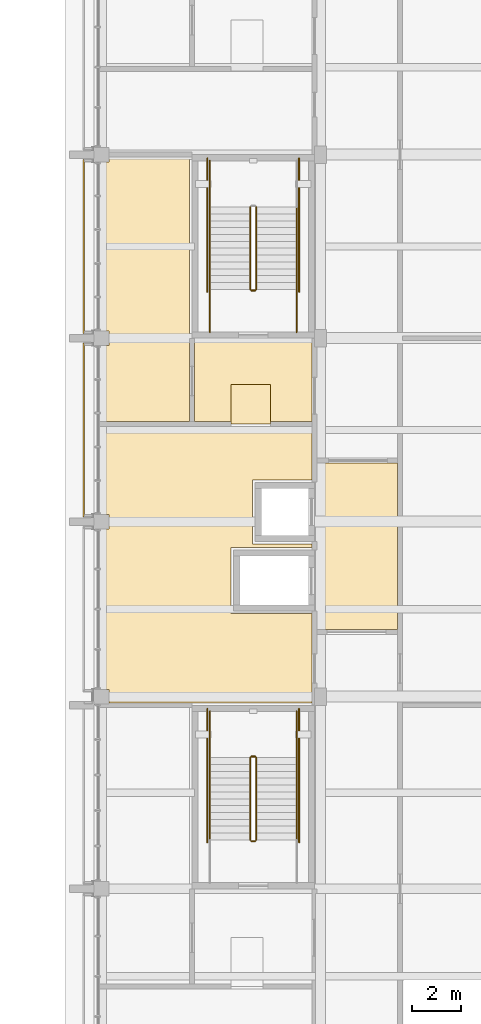
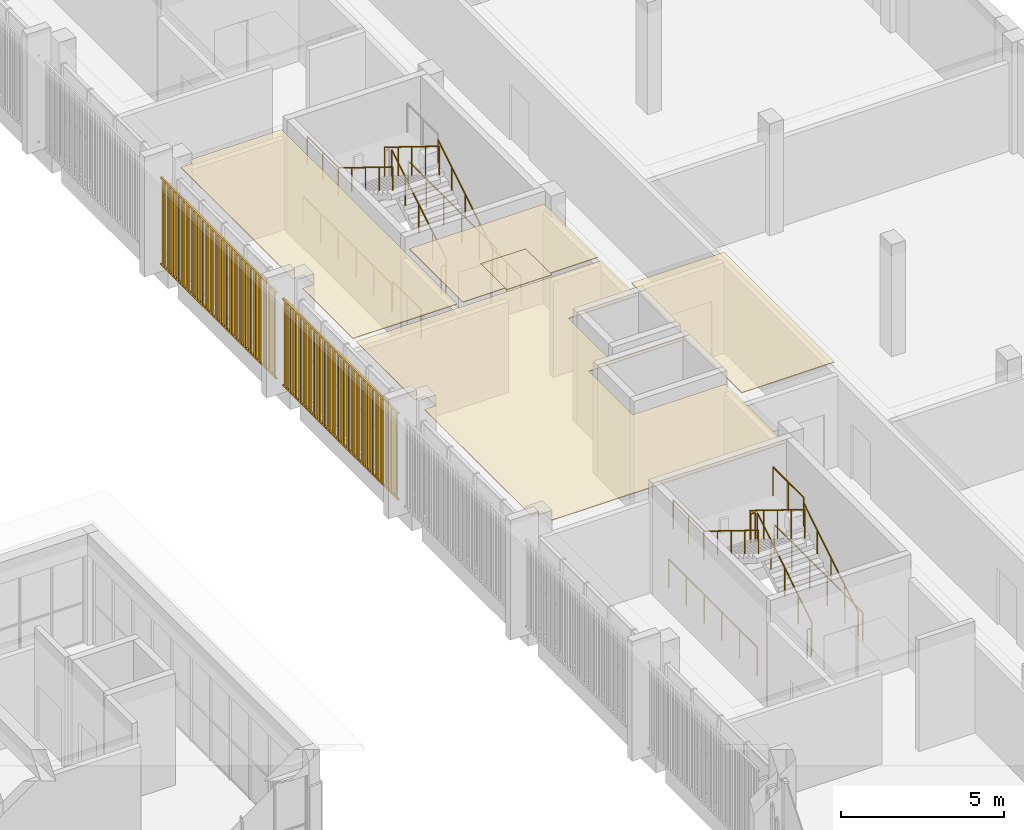
# One storey, part 82 of 92: 20 railings, 5 coverings, 2 shading devices.
"""IFC4 building model written with IfcOpenShell, lengths in metres."""

from ifc_helpers import new_model, si_unit, direction, frame, origin, origin_2d, place, context, subcontext, project, spatial, polyline, rectangle, circle, outline, extrude, material, layer, layer_set, type_object, element, save


model = new_model("IFC4")

# Units and contexts
model_context = context("Model", 3, precision=1e-05, world=origin(), true_north=direction((0.0, 1.0)))
body_context = subcontext(model_context, "Body", "Model", "MODEL_VIEW")
ifc_project = project(units=[si_unit("LENGTHUNIT", "METRE"), si_unit("AREAUNIT", "SQUARE_METRE"), si_unit("VOLUMEUNIT", "CUBIC_METRE"), si_unit("PLANEANGLEUNIT", "RADIAN"), si_unit("MASSUNIT", "GRAM", prefix="KILO")], contexts=[model_context])

# Site, building, storey
site_placement = place(None, origin())
site = spatial("IfcSite", under=ifc_project, at=site_placement, CompositionType="ELEMENT")
building_placement = place(site_placement, origin())
building = spatial("IfcBuilding", under=site, at=building_placement, Name="Sun Court Science Centre", CompositionType="ELEMENT")
storey_placement = place(building_placement, frame((0.0, 0.0, 11.25)))
storey = spatial("IfcBuildingStorey", under=building, at=storey_placement, Name="L02", CompositionType="ELEMENT", Elevation=11.25)

# Coverings
ifc_material_1 = material(Name="Gypsum board")
ifc_layer_1 = layer(ifc_material_1, 0.030029296875)
ifc_layer_set_1 = layer_set([ifc_layer_1], Name="Gypsum board")
covering_type = type_object("IfcCoveringType", Name="Ceiling suspended 600 module", PredefinedType="CEILING", material=ifc_layer_set_1)
covering_1_placement = place(storey_placement, frame((0.0, 0.0, 3.77001953125)))
element("IfcCovering", 1, at=covering_1_placement, inside=storey, type_object=covering_type, Name="L02-040 ceiling", PredefinedType="CEILING", context=body_context, shape_type="SweptSolid", body=[
    extrude(outline(polyline([(87.10009765625, 53.39990234375), (90.39990234375, 53.39990234375), (90.39990234375, 46.60009765625), (87.10009765625, 46.60009765625), (87.10009765625, 50.08740234375), (87.1025390625, 50.08740234375), (87.1025390625, 52.71240234375), (87.10009765625, 52.71240234375), (87.10009765625, 53.39990234375)])), origin(), (0.0, 0.0, 1.0), 0.030029296875),
])
covering_2_placement = place(storey_placement, frame((0.0, 0.0, 3.77001953125)))
element("IfcCovering", 2, at=covering_2_placement, inside=storey, type_object=covering_type, Name="L02-042 ceiling", PredefinedType="CEILING", context=body_context, shape_type="SweptSolid", body=[
    extrude(outline(polyline([(85.199951171875, 56.60009765625), (83.60009765625, 56.60009765625), (83.60009765625, 55.10009765625), (82.10009765625, 55.10009765625), (82.10009765625, 58.39990234375), (86.89990234375, 58.39990234375), (86.89990234375, 55.10009765625), (85.199951171875, 55.10009765625), (85.199951171875, 56.60009765625)])), origin(), (0.0, 0.0, 1.0), 0.030029296875),
])
covering_3_placement = place(storey_placement, frame((0.0, 0.0, 3.77001953125)))
element("IfcCovering", 3, at=covering_3_placement, inside=storey, type_object=covering_type, Name="L02-047 ceiling", PredefinedType="CEILING", context=body_context, shape_type="SweptSolid", body=[
    extrude(outline(polyline([(78.199951171875, 54.89990234375), (86.89990234375, 54.89990234375), (86.89990234375, 52.71240234375), (84.4775390625, 52.71240234375), (84.4775390625, 50.08740234375), (86.89990234375, 50.08740234375), (86.89990234375, 49.949951171875), (83.60009765625, 49.949951171875), (83.60009765625, 47.25), (86.89990234375, 47.25), (86.89990234375, 43.60009765625), (78.60009765625, 43.60009765625), (78.60009765625, 44.14990234375), (78.199951171875, 44.14990234375), (78.199951171875, 50.699951171875), (78.60009765625, 50.699951171875), (78.60009765625, 51.300048828125), (78.199951171875, 51.300048828125), (78.199951171875, 54.89990234375)])), origin(), (0.0, 0.0, 1.0), 0.030029296875),
])
covering_4_placement = place(storey_placement, frame((0.0, 0.0, 3.77001953125)))
element("IfcCovering", 4, at=covering_4_placement, inside=storey, type_object=covering_type, Name="L02-048 ceiling", PredefinedType="CEILING", context=body_context, shape_type="SweptSolid", body=[
    extrude(outline(polyline([(78.60009765625, 65.89990234375), (81.89990234375, 65.89990234375), (81.89990234375, 55.10009765625), (78.199951171875, 55.10009765625), (78.199951171875, 58.199951171875), (78.60009765625, 58.199951171875), (78.60009765625, 58.800048828125), (78.199951171875, 58.800048828125), (78.199951171875, 65.699951171875), (78.60009765625, 65.699951171875), (78.60009765625, 65.89990234375)])), origin(), (0.0, 0.0, 1.0), 0.030029296875),
])
covering_5_placement = place(storey_placement, frame((0.0, 0.0, 3.77001953125)))
element("IfcCovering", 5, at=covering_5_placement, inside=storey, type_object=covering_type, Name="L02-058 ceiling", PredefinedType="CEILING", context=body_context, shape_type="SweptSolid", body=[
    extrude(outline(polyline([(85.199951171875, 56.60009765625), (85.199951171875, 55.0), (83.60009765625, 55.0), (83.60009765625, 56.60009765625), (85.199951171875, 56.60009765625)])), origin(), (0.0, 0.0, 1.0), 0.030029296875),
])

# Railings
ifc_material_2 = material(Name="Steel S275", Category="steel")
railing_type_1 = type_object("IfcRailingType", Name="Guard 1100 steel balustrade", PredefinedType="GUARDRAIL", material=ifc_material_2)
railing_1_placement = place(storey_placement, frame((84.625, 37.998046875, 0.173095703125)))
element("IfcRailing", 6, at=railing_1_placement, inside=storey, type_object=railing_type_1, Name="L02 SL2 stair guard 1", PredefinedType="GUARDRAIL", context=body_context, shape_type="SweptSolid", body=[
    extrude(circle(Radius=0.02392578125, at=origin_2d()), frame((0.0, 0.0, 1.076171875), z_axis=(0.0, 0.850606129759, 0.525803396734), x_axis=(-1.0, 0.0, 0.0)), (0.0, 0.0, 1.0), 3.949951171875),
    extrude(circle(Radius=0.02099609375, at=origin_2d()), origin(), (0.0, 0.0, 1.0), 1.052001953125),
    extrude(circle(Radius=0.02099609375, at=origin_2d()), frame((0.0, 0.83984375, 0.519287109375)), (0.0, 0.0, 1.0), 1.052001953125),
    extrude(circle(Radius=0.02099609375, at=origin_2d()), frame((0.0, 1.679931640625, 1.03857421875)), (0.0, 0.0, 1.0), 1.052001953125),
    extrude(circle(Radius=0.02099609375, at=origin_2d()), frame((0.0, 2.52001953125, 1.5576171875)), (0.0, 0.0, 1.0), 1.052001953125),
    extrude(circle(Radius=0.02099609375, at=origin_2d()), frame((0.0, 3.35986328125, 2.076904296875)), (0.0, 0.0, 1.0), 1.052001953125),
])
railing_2_placement = place(storey_placement, frame((84.574951171875, 41.407958984375, 2.25)))
element("IfcRailing", 7, at=railing_2_placement, inside=storey, type_object=railing_type_1, Name="L02 SL2 stair guard 2", PredefinedType="GUARDRAIL", context=body_context, shape_type="SweptSolid", body=[
    extrude(circle(Radius=0.02392578125, at=origin_2d()), frame((0.0, 0.0, 1.076171875), z_axis=(-1.0, 0.0, 0.0), x_axis=(0.0, -1.0, 0.0)), (0.0, 0.0, 1.0), 0.14990234375),
    extrude(circle(Radius=0.02099609375, at=origin_2d()), origin(), (0.0, 0.0, 1.0), 1.052001953125),
    extrude(circle(Radius=0.02099609375, at=origin_2d()), frame((-0.14990234375, 0.0, 0.0)), (0.0, 0.0, 1.0), 1.052001953125),
])
for number, where, name in (
    (8, (86.27294921875, 41.35791015625, 2.25), "L02 SL2 stair guard 3"),
    (9, (82.72705078125, 41.35791015625, 2.25), "L02 SL2 stair guard 4"),
):
    element("IfcRailing", number, at=place(storey_placement, frame(where)), inside=storey, type_object=railing_type_1, Name=name, PredefinedType="GUARDRAIL", context=body_context, shape_type="SweptSolid", body=[
        extrude(circle(Radius=0.02392578125, at=origin_2d()), frame((0.0, 0.0, 1.076171875), z_axis=(0.0, 1.0, 0.0), x_axis=(-1.0, 0.0, 0.0)), (0.0, 0.0, 1.0), 1.89208984375),
        extrude(circle(Radius=0.02099609375, at=origin_2d()), origin(), (0.0, 0.0, 1.0), 1.052001953125),
        extrude(circle(Radius=0.02099609375, at=origin_2d()), frame((0.0, 0.946044921875, 0.0)), (0.0, 0.0, 1.0), 1.052001953125),
        extrude(circle(Radius=0.02099609375, at=origin_2d()), frame((0.0, 1.89208984375, 0.0)), (0.0, 0.0, 1.0), 1.052001953125),
    ])
railing_3_placement = place(storey_placement, frame((84.375, 41.35791015625, 2.423095703125)))
element("IfcRailing", 10, at=railing_3_placement, inside=storey, type_object=railing_type_1, Name="L02 SL2 stair guard 5", PredefinedType="GUARDRAIL", context=body_context, shape_type="SweptSolid", body=[
    extrude(circle(Radius=0.02392578125, at=origin_2d()), frame((0.0, 0.0, 1.076171875), z_axis=(0.0, -0.850606129759, 0.525803396734), x_axis=(1.0, 0.0, 0.0)), (0.0, 0.0, 1.0), 3.949951171875),
    extrude(circle(Radius=0.02099609375, at=origin_2d()), origin(), (0.0, 0.0, 1.0), 1.052001953125),
    extrude(circle(Radius=0.02099609375, at=origin_2d()), frame((0.0, -0.83984375, 0.519287109375)), (0.0, 0.0, 1.0), 1.052001953125),
    extrude(circle(Radius=0.02099609375, at=origin_2d()), frame((0.0, -1.679931640625, 1.03857421875)), (0.0, 0.0, 1.0), 1.052001953125),
    extrude(circle(Radius=0.02099609375, at=origin_2d()), frame((0.0, -2.52001953125, 1.5576171875)), (0.0, 0.0, 1.0), 1.052001953125),
    extrude(circle(Radius=0.02099609375, at=origin_2d()), frame((0.0, -3.35986328125, 2.076904296875)), (0.0, 0.0, 1.0), 1.052001953125),
])
railing_4_placement = place(storey_placement, frame((84.574951171875, 37.947998046875, 0.0)))
element("IfcRailing", 11, at=railing_4_placement, inside=storey, type_object=railing_type_1, Name="L02 SL2 stair guard 6", PredefinedType="GUARDRAIL", context=body_context, shape_type="SweptSolid", body=[
    extrude(circle(Radius=0.02392578125, at=origin_2d()), frame((0.0, 0.0, 1.076171875), z_axis=(-1.0, 0.0, 0.0), x_axis=(0.0, -1.0, 0.0)), (0.0, 0.0, 1.0), 0.14990234375),
    extrude(circle(Radius=0.02099609375, at=origin_2d()), origin(), (0.0, 0.0, 1.0), 1.052001953125),
    extrude(circle(Radius=0.02099609375, at=origin_2d()), frame((-0.14990234375, 0.0, 0.0)), (0.0, 0.0, 1.0), 1.052001953125),
])
for number, where, name in (
    (12, (86.373046875, 37.89794921875, 0.0), "L02 SL2 stair guard 9"),
    (13, (82.626953125, 37.89794921875, 0.0), "L02 SL2 stair guard 10"),
):
    element("IfcRailing", number, at=place(storey_placement, frame(where)), inside=storey, type_object=railing_type_1, Name=name, PredefinedType="GUARDRAIL", context=body_context, shape_type="SweptSolid", body=[
        extrude(circle(Radius=0.02392578125, at=origin_2d()), frame((0.0, 0.0, 1.076171875), z_axis=(0.0, 1.0, 0.0), x_axis=(-1.0, 0.0, 0.0)), (0.0, 0.0, 1.0), 5.4521484375),
        extrude(circle(Radius=0.02099609375, at=origin_2d()), origin(), (0.0, 0.0, 1.0), 1.052001953125),
        extrude(circle(Radius=0.02099609375, at=origin_2d()), frame((0.0, 1.09033203125, 0.0)), (0.0, 0.0, 1.0), 1.052001953125),
        extrude(circle(Radius=0.02099609375, at=origin_2d()), frame((0.0, 2.180908203125, 0.0)), (0.0, 0.0, 1.0), 1.052001953125),
        extrude(circle(Radius=0.02099609375, at=origin_2d()), frame((0.0, 3.271240234375, 0.0)), (0.0, 0.0, 1.0), 1.052001953125),
        extrude(circle(Radius=0.02099609375, at=origin_2d()), frame((0.0, 4.36181640625, 0.0)), (0.0, 0.0, 1.0), 1.052001953125),
        extrude(circle(Radius=0.02099609375, at=origin_2d()), frame((0.0, 5.4521484375, 0.0)), (0.0, 0.0, 1.0), 1.052001953125),
    ])
railing_5_placement = place(storey_placement, frame((84.625, 60.498046875, 0.173095703125)))
element("IfcRailing", 14, at=railing_5_placement, inside=storey, type_object=railing_type_1, Name="L02 SL3 stair guard 1", PredefinedType="GUARDRAIL", context=body_context, shape_type="SweptSolid", body=[
    extrude(circle(Radius=0.02392578125, at=origin_2d()), frame((0.0, 0.0, 1.076171875), z_axis=(0.0, 0.850606129759, 0.525803396734), x_axis=(-1.0, 0.0, 0.0)), (0.0, 0.0, 1.0), 3.949951171875),
    extrude(circle(Radius=0.02099609375, at=origin_2d()), origin(), (0.0, 0.0, 1.0), 1.052001953125),
    extrude(circle(Radius=0.02099609375, at=origin_2d()), frame((0.0, 0.83984375, 0.519287109375)), (0.0, 0.0, 1.0), 1.052001953125),
    extrude(circle(Radius=0.02099609375, at=origin_2d()), frame((0.0, 1.679931640625, 1.03857421875)), (0.0, 0.0, 1.0), 1.052001953125),
    extrude(circle(Radius=0.02099609375, at=origin_2d()), frame((0.0, 2.52001953125, 1.5576171875)), (0.0, 0.0, 1.0), 1.052001953125),
    extrude(circle(Radius=0.02099609375, at=origin_2d()), frame((0.0, 3.35986328125, 2.076904296875)), (0.0, 0.0, 1.0), 1.052001953125),
])
railing_6_placement = place(storey_placement, frame((82.72705078125, 63.85791015625, 2.25)))
element("IfcRailing", 15, at=railing_6_placement, inside=storey, type_object=railing_type_1, Name="L02 SL3 stair guard 4", PredefinedType="GUARDRAIL", context=body_context, shape_type="SweptSolid", body=[
    extrude(circle(Radius=0.02392578125, at=origin_2d()), frame((0.0, 0.0, 1.076171875), z_axis=(0.0, 1.0, 0.0), x_axis=(-1.0, 0.0, 0.0)), (0.0, 0.0, 1.0), 1.89208984375),
    extrude(circle(Radius=0.02099609375, at=origin_2d()), origin(), (0.0, 0.0, 1.0), 1.052001953125),
    extrude(circle(Radius=0.02099609375, at=origin_2d()), frame((0.0, 0.946044921875, 0.0)), (0.0, 0.0, 1.0), 1.052001953125),
    extrude(circle(Radius=0.02099609375, at=origin_2d()), frame((0.0, 1.89208984375, 0.0)), (0.0, 0.0, 1.0), 1.052001953125),
])
railing_7_placement = place(storey_placement, frame((84.375, 63.85791015625, 2.423095703125)))
element("IfcRailing", 16, at=railing_7_placement, inside=storey, type_object=railing_type_1, Name="L02 SL3 stair guard 5", PredefinedType="GUARDRAIL", context=body_context, shape_type="SweptSolid", body=[
    extrude(circle(Radius=0.02392578125, at=origin_2d()), frame((0.0, 0.0, 1.076171875), z_axis=(0.0, -0.850606129759, 0.525803396734), x_axis=(1.0, 0.0, 0.0)), (0.0, 0.0, 1.0), 3.949951171875),
    extrude(circle(Radius=0.02099609375, at=origin_2d()), origin(), (0.0, 0.0, 1.0), 1.052001953125),
    extrude(circle(Radius=0.02099609375, at=origin_2d()), frame((0.0, -0.83984375, 0.519287109375)), (0.0, 0.0, 1.0), 1.052001953125),
    extrude(circle(Radius=0.02099609375, at=origin_2d()), frame((0.0, -1.679931640625, 1.03857421875)), (0.0, 0.0, 1.0), 1.052001953125),
    extrude(circle(Radius=0.02099609375, at=origin_2d()), frame((0.0, -2.52001953125, 1.5576171875)), (0.0, 0.0, 1.0), 1.052001953125),
    extrude(circle(Radius=0.02099609375, at=origin_2d()), frame((0.0, -3.35986328125, 2.076904296875)), (0.0, 0.0, 1.0), 1.052001953125),
])
railing_8_placement = place(storey_placement, frame((84.574951171875, 60.447998046875, 0.0)))
element("IfcRailing", 17, at=railing_8_placement, inside=storey, type_object=railing_type_1, Name="L02 SL3 stair guard 6", PredefinedType="GUARDRAIL", context=body_context, shape_type="SweptSolid", body=[
    extrude(circle(Radius=0.02392578125, at=origin_2d()), frame((0.0, 0.0, 1.076171875), z_axis=(-1.0, 0.0, 0.0), x_axis=(0.0, -1.0, 0.0)), (0.0, 0.0, 1.0), 0.14990234375),
    extrude(circle(Radius=0.02099609375, at=origin_2d()), origin(), (0.0, 0.0, 1.0), 1.052001953125),
    extrude(circle(Radius=0.02099609375, at=origin_2d()), frame((-0.14990234375, 0.0, 0.0)), (0.0, 0.0, 1.0), 1.052001953125),
])
for number, where, name in (
    (18, (86.27294921875, 58.75, 0.0), "L02 SL3 stair guard 7"),
    (19, (82.72705078125, 58.75, 0.0), "L02 SL3 stair guard 8"),
):
    element("IfcRailing", number, at=place(storey_placement, frame(where)), inside=storey, type_object=railing_type_1, Name=name, PredefinedType="GUARDRAIL", context=body_context, shape_type="SweptSolid", body=[
        extrude(circle(Radius=0.02392578125, at=origin_2d()), frame((0.0, 0.0, 1.076171875), z_axis=(0.0, 1.0, 0.0), x_axis=(-1.0, 0.0, 0.0)), (0.0, 0.0, 1.0), 1.748046875),
        extrude(circle(Radius=0.02099609375, at=origin_2d()), origin(), (0.0, 0.0, 1.0), 1.052001953125),
        extrude(circle(Radius=0.02099609375, at=origin_2d()), frame((0.0, 0.8740234375, 0.0)), (0.0, 0.0, 1.0), 1.052001953125),
        extrude(circle(Radius=0.02099609375, at=origin_2d()), frame((0.0, 1.748046875, 0.0)), (0.0, 0.0, 1.0), 1.052001953125),
    ])
for number, where, name in (
    (20, (86.373046875, 60.39794921875, 0.0), "L02 SL3 stair guard 9"),
    (21, (82.626953125, 60.39794921875, 0.0), "L02 SL3 stair guard 10"),
):
    element("IfcRailing", number, at=place(storey_placement, frame(where)), inside=storey, type_object=railing_type_1, Name=name, PredefinedType="GUARDRAIL", context=body_context, shape_type="SweptSolid", body=[
        extrude(circle(Radius=0.02392578125, at=origin_2d()), frame((0.0, 0.0, 1.076171875), z_axis=(0.0, 1.0, 0.0), x_axis=(-1.0, 0.0, 0.0)), (0.0, 0.0, 1.0), 5.4521484375),
        extrude(circle(Radius=0.02099609375, at=origin_2d()), origin(), (0.0, 0.0, 1.0), 1.052001953125),
        extrude(circle(Radius=0.02099609375, at=origin_2d()), frame((0.0, 1.09033203125, 0.0)), (0.0, 0.0, 1.0), 1.052001953125),
        extrude(circle(Radius=0.02099609375, at=origin_2d()), frame((0.0, 2.180908203125, 0.0)), (0.0, 0.0, 1.0), 1.052001953125),
        extrude(circle(Radius=0.02099609375, at=origin_2d()), frame((0.0, 3.271240234375, 0.0)), (0.0, 0.0, 1.0), 1.052001953125),
        extrude(circle(Radius=0.02099609375, at=origin_2d()), frame((0.0, 4.36181640625, 0.0)), (0.0, 0.0, 1.0), 1.052001953125),
        extrude(circle(Radius=0.02099609375, at=origin_2d()), frame((0.0, 5.4521484375, 0.0)), (0.0, 0.0, 1.0), 1.052001953125),
    ])
ifc_material_3 = material(Name="Stainless steel", Category="steel")
railing_type_2 = type_object("IfcRailingType", Name="Handrail 900 stainless", PredefinedType="HANDRAIL", material=ifc_material_3)
railing_9_placement = place(storey_placement, frame((86.27294921875, 37.998046875, 0.173095703125)))
element("IfcRailing", 22, at=railing_9_placement, inside=storey, type_object=railing_type_2, Name="L02 SL2 stair handrail 1", PredefinedType="HANDRAIL", context=body_context, shape_type="SweptSolid", body=[
    extrude(circle(Radius=0.02392578125, at=origin_2d()), frame((0.0, 0.0, 0.8759765625), z_axis=(0.0, 0.850606129759, 0.525803396734), x_axis=(-1.0, 0.0, 0.0)), (0.0, 0.0, 1.0), 3.949951171875),
    extrude(circle(Radius=0.02099609375, at=origin_2d()), origin(), (0.0, 0.0, 1.0), 0.851806640625),
    extrude(circle(Radius=0.02099609375, at=origin_2d()), frame((0.0, 0.83984375, 0.519287109375)), (0.0, 0.0, 1.0), 0.851806640625),
    extrude(circle(Radius=0.02099609375, at=origin_2d()), frame((0.0, 1.679931640625, 1.03857421875)), (0.0, 0.0, 1.0), 0.851806640625),
    extrude(circle(Radius=0.02099609375, at=origin_2d()), frame((0.0, 2.52001953125, 1.5576171875)), (0.0, 0.0, 1.0), 0.851806640625),
    extrude(circle(Radius=0.02099609375, at=origin_2d()), frame((0.0, 3.35986328125, 2.076904296875)), (0.0, 0.0, 1.0), 0.851806640625),
])
railing_10_placement = place(storey_placement, frame((82.72705078125, 41.35791015625, 2.423095703125)))
element("IfcRailing", 23, at=railing_10_placement, inside=storey, type_object=railing_type_2, Name="L02 SL2 stair handrail 2", PredefinedType="HANDRAIL", context=body_context, shape_type="SweptSolid", body=[
    extrude(circle(Radius=0.02392578125, at=origin_2d()), frame((0.0, 0.0, 0.8759765625), z_axis=(0.0, -0.850606129759, 0.525803396734), x_axis=(1.0, 0.0, 0.0)), (0.0, 0.0, 1.0), 3.949951171875),
    extrude(circle(Radius=0.02099609375, at=origin_2d()), origin(), (0.0, 0.0, 1.0), 0.851806640625),
    extrude(circle(Radius=0.02099609375, at=origin_2d()), frame((0.0, -0.83984375, 0.519287109375)), (0.0, 0.0, 1.0), 0.851806640625),
    extrude(circle(Radius=0.02099609375, at=origin_2d()), frame((0.0, -1.679931640625, 1.03857421875)), (0.0, 0.0, 1.0), 0.851806640625),
    extrude(circle(Radius=0.02099609375, at=origin_2d()), frame((0.0, -2.52001953125, 1.5576171875)), (0.0, 0.0, 1.0), 0.851806640625),
    extrude(circle(Radius=0.02099609375, at=origin_2d()), frame((0.0, -3.35986328125, 2.076904296875)), (0.0, 0.0, 1.0), 0.851806640625),
])
railing_11_placement = place(storey_placement, frame((86.27294921875, 60.498046875, 0.173095703125)))
element("IfcRailing", 24, at=railing_11_placement, inside=storey, type_object=railing_type_2, Name="L02 SL3 stair handrail 1", PredefinedType="HANDRAIL", context=body_context, shape_type="SweptSolid", body=[
    extrude(circle(Radius=0.02392578125, at=origin_2d()), frame((0.0, 0.0, 0.8759765625), z_axis=(0.0, 0.850606129759, 0.525803396734), x_axis=(-1.0, 0.0, 0.0)), (0.0, 0.0, 1.0), 3.949951171875),
    extrude(circle(Radius=0.02099609375, at=origin_2d()), origin(), (0.0, 0.0, 1.0), 0.851806640625),
    extrude(circle(Radius=0.02099609375, at=origin_2d()), frame((0.0, 0.83984375, 0.519287109375)), (0.0, 0.0, 1.0), 0.851806640625),
    extrude(circle(Radius=0.02099609375, at=origin_2d()), frame((0.0, 1.679931640625, 1.03857421875)), (0.0, 0.0, 1.0), 0.851806640625),
    extrude(circle(Radius=0.02099609375, at=origin_2d()), frame((0.0, 2.52001953125, 1.5576171875)), (0.0, 0.0, 1.0), 0.851806640625),
    extrude(circle(Radius=0.02099609375, at=origin_2d()), frame((0.0, 3.35986328125, 2.076904296875)), (0.0, 0.0, 1.0), 0.851806640625),
])
railing_12_placement = place(storey_placement, frame((82.72705078125, 63.85791015625, 2.423095703125)))
element("IfcRailing", 25, at=railing_12_placement, inside=storey, type_object=railing_type_2, Name="L02 SL3 stair handrail 2", PredefinedType="HANDRAIL", context=body_context, shape_type="SweptSolid", body=[
    extrude(circle(Radius=0.02392578125, at=origin_2d()), frame((0.0, 0.0, 0.8759765625), z_axis=(0.0, -0.850606129759, 0.525803396734), x_axis=(1.0, 0.0, 0.0)), (0.0, 0.0, 1.0), 3.949951171875),
    extrude(circle(Radius=0.02099609375, at=origin_2d()), origin(), (0.0, 0.0, 1.0), 0.851806640625),
    extrude(circle(Radius=0.02099609375, at=origin_2d()), frame((0.0, -0.83984375, 0.519287109375)), (0.0, 0.0, 1.0), 0.851806640625),
    extrude(circle(Radius=0.02099609375, at=origin_2d()), frame((0.0, -1.679931640625, 1.03857421875)), (0.0, 0.0, 1.0), 0.851806640625),
    extrude(circle(Radius=0.02099609375, at=origin_2d()), frame((0.0, -2.52001953125, 1.5576171875)), (0.0, 0.0, 1.0), 0.851806640625),
    extrude(circle(Radius=0.02099609375, at=origin_2d()), frame((0.0, -3.35986328125, 2.076904296875)), (0.0, 0.0, 1.0), 0.851806640625),
])

# Shading devices
ifc_material_4 = material(Name="Red sandstone", Category="masonry")
ifc_layer_2 = layer(ifc_material_4, 0.06005859375)
ifc_layer_set_2 = layer_set([ifc_layer_2], Name="Red sandstone")
shading_device_type = type_object("IfcShadingDeviceType", Name="Jali screen, sandstone", PredefinedType="USERDEFINED", material=ifc_layer_set_2)
shading_device_1_placement = place(storey_placement, frame((0.0, 0.0, -11.25)))
element("IfcShadingDevice", 26, at=shading_device_1_placement, inside=storey, type_object=shading_device_type, Name="Jali screen west face L02 06", ObjectType="JALI SCREEN", PredefinedType="USERDEFINED", context=body_context, shape_type="SweptSolid", body=[
    extrude(rectangle(XDim=0.1201171875, YDim=0.06005859375, at=origin_2d()), frame((77.570068359375, 51.347900390625, 11.58984375), z_axis=(0.0, 0.0, 1.0), x_axis=(0.0, 1.0, 0.0)), (0.0, 0.0, 1.0), 3.219970703125),
    extrude(rectangle(XDim=0.1201171875, YDim=0.06005859375, at=origin_2d()), frame((77.570068359375, 51.643798828125, 11.58984375), z_axis=(0.0, 0.0, 1.0), x_axis=(0.0, 1.0, 0.0)), (0.0, 0.0, 1.0), 3.219970703125),
    extrude(rectangle(XDim=0.1201171875, YDim=0.06005859375, at=origin_2d()), frame((77.570068359375, 51.939697265625, 11.58984375), z_axis=(0.0, 0.0, 1.0), x_axis=(0.0, 1.0, 0.0)), (0.0, 0.0, 1.0), 3.219970703125),
    extrude(rectangle(XDim=0.1201171875, YDim=0.06005859375, at=origin_2d()), frame((77.570068359375, 52.2353515625, 11.58984375), z_axis=(0.0, 0.0, 1.0), x_axis=(0.0, 1.0, 0.0)), (0.0, 0.0, 1.0), 3.219970703125),
    extrude(rectangle(XDim=0.1201171875, YDim=0.06005859375, at=origin_2d()), frame((77.570068359375, 52.53125, 11.58984375), z_axis=(0.0, 0.0, 1.0), x_axis=(0.0, 1.0, 0.0)), (0.0, 0.0, 1.0), 3.219970703125),
    extrude(rectangle(XDim=0.1201171875, YDim=0.06005859375, at=origin_2d()), frame((77.570068359375, 52.8271484375, 11.58984375), z_axis=(0.0, 0.0, 1.0), x_axis=(0.0, 1.0, 0.0)), (0.0, 0.0, 1.0), 3.219970703125),
    extrude(rectangle(XDim=0.1201171875, YDim=0.06005859375, at=origin_2d()), frame((77.570068359375, 53.122802734375, 11.58984375), z_axis=(0.0, 0.0, 1.0), x_axis=(0.0, 1.0, 0.0)), (0.0, 0.0, 1.0), 3.219970703125),
    extrude(rectangle(XDim=0.1201171875, YDim=0.06005859375, at=origin_2d()), frame((77.570068359375, 53.418701171875, 11.58984375), z_axis=(0.0, 0.0, 1.0), x_axis=(0.0, 1.0, 0.0)), (0.0, 0.0, 1.0), 3.219970703125),
    extrude(rectangle(XDim=0.1201171875, YDim=0.06005859375, at=origin_2d()), frame((77.570068359375, 53.714599609375, 11.58984375), z_axis=(0.0, 0.0, 1.0), x_axis=(0.0, 1.0, 0.0)), (0.0, 0.0, 1.0), 3.219970703125),
    extrude(rectangle(XDim=0.1201171875, YDim=0.06005859375, at=origin_2d()), frame((77.570068359375, 54.010498046875, 11.58984375), z_axis=(0.0, 0.0, 1.0), x_axis=(0.0, 1.0, 0.0)), (0.0, 0.0, 1.0), 3.219970703125),
    extrude(rectangle(XDim=0.1201171875, YDim=0.06005859375, at=origin_2d()), frame((77.570068359375, 54.30615234375, 11.58984375), z_axis=(0.0, 0.0, 1.0), x_axis=(0.0, 1.0, 0.0)), (0.0, 0.0, 1.0), 3.219970703125),
    extrude(rectangle(XDim=0.1201171875, YDim=0.06005859375, at=origin_2d()), frame((77.570068359375, 54.60205078125, 11.58984375), z_axis=(0.0, 0.0, 1.0), x_axis=(0.0, 1.0, 0.0)), (0.0, 0.0, 1.0), 3.219970703125),
    extrude(rectangle(XDim=0.1201171875, YDim=0.06005859375, at=origin_2d()), frame((77.570068359375, 54.89794921875, 11.58984375), z_axis=(0.0, 0.0, 1.0), x_axis=(0.0, 1.0, 0.0)), (0.0, 0.0, 1.0), 3.219970703125),
    extrude(rectangle(XDim=0.1201171875, YDim=0.06005859375, at=origin_2d()), frame((77.570068359375, 55.19384765625, 11.58984375), z_axis=(0.0, 0.0, 1.0), x_axis=(0.0, 1.0, 0.0)), (0.0, 0.0, 1.0), 3.219970703125),
    extrude(rectangle(XDim=0.1201171875, YDim=0.06005859375, at=origin_2d()), frame((77.570068359375, 55.489501953125, 11.58984375), z_axis=(0.0, 0.0, 1.0), x_axis=(0.0, 1.0, 0.0)), (0.0, 0.0, 1.0), 3.219970703125),
    extrude(rectangle(XDim=0.1201171875, YDim=0.06005859375, at=origin_2d()), frame((77.570068359375, 55.785400390625, 11.58984375), z_axis=(0.0, 0.0, 1.0), x_axis=(0.0, 1.0, 0.0)), (0.0, 0.0, 1.0), 3.219970703125),
    extrude(rectangle(XDim=0.1201171875, YDim=0.06005859375, at=origin_2d()), frame((77.570068359375, 56.081298828125, 11.58984375), z_axis=(0.0, 0.0, 1.0), x_axis=(0.0, 1.0, 0.0)), (0.0, 0.0, 1.0), 3.219970703125),
    extrude(rectangle(XDim=0.1201171875, YDim=0.06005859375, at=origin_2d()), frame((77.570068359375, 56.377197265625, 11.58984375), z_axis=(0.0, 0.0, 1.0), x_axis=(0.0, 1.0, 0.0)), (0.0, 0.0, 1.0), 3.219970703125),
    extrude(rectangle(XDim=0.1201171875, YDim=0.06005859375, at=origin_2d()), frame((77.570068359375, 56.6728515625, 11.58984375), z_axis=(0.0, 0.0, 1.0), x_axis=(0.0, 1.0, 0.0)), (0.0, 0.0, 1.0), 3.219970703125),
    extrude(rectangle(XDim=0.1201171875, YDim=0.06005859375, at=origin_2d()), frame((77.570068359375, 56.96875, 11.58984375), z_axis=(0.0, 0.0, 1.0), x_axis=(0.0, 1.0, 0.0)), (0.0, 0.0, 1.0), 3.219970703125),
    extrude(rectangle(XDim=0.1201171875, YDim=0.06005859375, at=origin_2d()), frame((77.570068359375, 57.2646484375, 11.58984375), z_axis=(0.0, 0.0, 1.0), x_axis=(0.0, 1.0, 0.0)), (0.0, 0.0, 1.0), 3.219970703125),
    extrude(rectangle(XDim=0.1201171875, YDim=0.06005859375, at=origin_2d()), frame((77.570068359375, 57.560302734375, 11.58984375), z_axis=(0.0, 0.0, 1.0), x_axis=(0.0, 1.0, 0.0)), (0.0, 0.0, 1.0), 3.219970703125),
    extrude(rectangle(XDim=0.1201171875, YDim=0.06005859375, at=origin_2d()), frame((77.570068359375, 57.856201171875, 11.58984375), z_axis=(0.0, 0.0, 1.0), x_axis=(0.0, 1.0, 0.0)), (0.0, 0.0, 1.0), 3.219970703125),
    extrude(rectangle(XDim=0.1201171875, YDim=0.06005859375, at=origin_2d()), frame((77.570068359375, 58.152099609375, 11.58984375), z_axis=(0.0, 0.0, 1.0), x_axis=(0.0, 1.0, 0.0)), (0.0, 0.0, 1.0), 3.219970703125),
    extrude(rectangle(XDim=7.10009765625, YDim=0.06005859375, at=origin_2d()), frame((77.570068359375, 54.75, 11.550048828125), z_axis=(0.0, 0.0, 1.0), x_axis=(0.0, 1.0, 0.0)), (0.0, 0.0, 1.0), 0.06005859375),
    extrude(rectangle(XDim=7.10009765625, YDim=0.06005859375, at=origin_2d()), frame((77.570068359375, 54.75, 14.7900390625), z_axis=(0.0, 0.0, 1.0), x_axis=(0.0, 1.0, 0.0)), (0.0, 0.0, 1.0), 0.06005859375),
])
shading_device_2_placement = place(storey_placement, frame((0.0, 0.0, -11.25)))
element("IfcShadingDevice", 27, at=shading_device_2_placement, inside=storey, type_object=shading_device_type, Name="Jali screen west face L02 07", ObjectType="JALI SCREEN", PredefinedType="USERDEFINED", context=body_context, shape_type="SweptSolid", body=[
    extrude(rectangle(XDim=0.1201171875, YDim=0.06005859375, at=origin_2d()), frame((77.570068359375, 58.847900390625, 11.58984375), z_axis=(0.0, 0.0, 1.0), x_axis=(0.0, 1.0, 0.0)), (0.0, 0.0, 1.0), 3.219970703125),
    extrude(rectangle(XDim=0.1201171875, YDim=0.06005859375, at=origin_2d()), frame((77.570068359375, 59.143798828125, 11.58984375), z_axis=(0.0, 0.0, 1.0), x_axis=(0.0, 1.0, 0.0)), (0.0, 0.0, 1.0), 3.219970703125),
    extrude(rectangle(XDim=0.1201171875, YDim=0.06005859375, at=origin_2d()), frame((77.570068359375, 59.439697265625, 11.58984375), z_axis=(0.0, 0.0, 1.0), x_axis=(0.0, 1.0, 0.0)), (0.0, 0.0, 1.0), 3.219970703125),
    extrude(rectangle(XDim=0.1201171875, YDim=0.06005859375, at=origin_2d()), frame((77.570068359375, 59.7353515625, 11.58984375), z_axis=(0.0, 0.0, 1.0), x_axis=(0.0, 1.0, 0.0)), (0.0, 0.0, 1.0), 3.219970703125),
    extrude(rectangle(XDim=0.1201171875, YDim=0.06005859375, at=origin_2d()), frame((77.570068359375, 60.03125, 11.58984375), z_axis=(0.0, 0.0, 1.0), x_axis=(0.0, 1.0, 0.0)), (0.0, 0.0, 1.0), 3.219970703125),
    extrude(rectangle(XDim=0.1201171875, YDim=0.06005859375, at=origin_2d()), frame((77.570068359375, 60.3271484375, 11.58984375), z_axis=(0.0, 0.0, 1.0), x_axis=(0.0, 1.0, 0.0)), (0.0, 0.0, 1.0), 3.219970703125),
    extrude(rectangle(XDim=0.1201171875, YDim=0.06005859375, at=origin_2d()), frame((77.570068359375, 60.622802734375, 11.58984375), z_axis=(0.0, 0.0, 1.0), x_axis=(0.0, 1.0, 0.0)), (0.0, 0.0, 1.0), 3.219970703125),
    extrude(rectangle(XDim=0.1201171875, YDim=0.06005859375, at=origin_2d()), frame((77.570068359375, 60.918701171875, 11.58984375), z_axis=(0.0, 0.0, 1.0), x_axis=(0.0, 1.0, 0.0)), (0.0, 0.0, 1.0), 3.219970703125),
    extrude(rectangle(XDim=0.1201171875, YDim=0.06005859375, at=origin_2d()), frame((77.570068359375, 61.214599609375, 11.58984375), z_axis=(0.0, 0.0, 1.0), x_axis=(0.0, 1.0, 0.0)), (0.0, 0.0, 1.0), 3.219970703125),
    extrude(rectangle(XDim=0.1201171875, YDim=0.06005859375, at=origin_2d()), frame((77.570068359375, 61.510498046875, 11.58984375), z_axis=(0.0, 0.0, 1.0), x_axis=(0.0, 1.0, 0.0)), (0.0, 0.0, 1.0), 3.219970703125),
    extrude(rectangle(XDim=0.1201171875, YDim=0.06005859375, at=origin_2d()), frame((77.570068359375, 61.80615234375, 11.58984375), z_axis=(0.0, 0.0, 1.0), x_axis=(0.0, 1.0, 0.0)), (0.0, 0.0, 1.0), 3.219970703125),
    extrude(rectangle(XDim=0.1201171875, YDim=0.06005859375, at=origin_2d()), frame((77.570068359375, 62.10205078125, 11.58984375), z_axis=(0.0, 0.0, 1.0), x_axis=(0.0, 1.0, 0.0)), (0.0, 0.0, 1.0), 3.219970703125),
    extrude(rectangle(XDim=0.1201171875, YDim=0.06005859375, at=origin_2d()), frame((77.570068359375, 62.39794921875, 11.58984375), z_axis=(0.0, 0.0, 1.0), x_axis=(0.0, 1.0, 0.0)), (0.0, 0.0, 1.0), 3.219970703125),
    extrude(rectangle(XDim=0.1201171875, YDim=0.06005859375, at=origin_2d()), frame((77.570068359375, 62.69384765625, 11.58984375), z_axis=(0.0, 0.0, 1.0), x_axis=(0.0, 1.0, 0.0)), (0.0, 0.0, 1.0), 3.219970703125),
    extrude(rectangle(XDim=0.1201171875, YDim=0.06005859375, at=origin_2d()), frame((77.570068359375, 62.989501953125, 11.58984375), z_axis=(0.0, 0.0, 1.0), x_axis=(0.0, 1.0, 0.0)), (0.0, 0.0, 1.0), 3.219970703125),
    extrude(rectangle(XDim=0.1201171875, YDim=0.06005859375, at=origin_2d()), frame((77.570068359375, 63.285400390625, 11.58984375), z_axis=(0.0, 0.0, 1.0), x_axis=(0.0, 1.0, 0.0)), (0.0, 0.0, 1.0), 3.219970703125),
    extrude(rectangle(XDim=0.1201171875, YDim=0.06005859375, at=origin_2d()), frame((77.570068359375, 63.581298828125, 11.58984375), z_axis=(0.0, 0.0, 1.0), x_axis=(0.0, 1.0, 0.0)), (0.0, 0.0, 1.0), 3.219970703125),
    extrude(rectangle(XDim=0.1201171875, YDim=0.06005859375, at=origin_2d()), frame((77.570068359375, 63.877197265625, 11.58984375), z_axis=(0.0, 0.0, 1.0), x_axis=(0.0, 1.0, 0.0)), (0.0, 0.0, 1.0), 3.219970703125),
    extrude(rectangle(XDim=0.1201171875, YDim=0.06005859375, at=origin_2d()), frame((77.570068359375, 64.1728515625, 11.58984375), z_axis=(0.0, 0.0, 1.0), x_axis=(0.0, 1.0, 0.0)), (0.0, 0.0, 1.0), 3.219970703125),
    extrude(rectangle(XDim=0.1201171875, YDim=0.06005859375, at=origin_2d()), frame((77.570068359375, 64.46875, 11.58984375), z_axis=(0.0, 0.0, 1.0), x_axis=(0.0, 1.0, 0.0)), (0.0, 0.0, 1.0), 3.219970703125),
    extrude(rectangle(XDim=0.1201171875, YDim=0.06005859375, at=origin_2d()), frame((77.570068359375, 64.7646484375, 11.58984375), z_axis=(0.0, 0.0, 1.0), x_axis=(0.0, 1.0, 0.0)), (0.0, 0.0, 1.0), 3.219970703125),
    extrude(rectangle(XDim=0.1201171875, YDim=0.06005859375, at=origin_2d()), frame((77.570068359375, 65.060302734375, 11.58984375), z_axis=(0.0, 0.0, 1.0), x_axis=(0.0, 1.0, 0.0)), (0.0, 0.0, 1.0), 3.219970703125),
    extrude(rectangle(XDim=0.1201171875, YDim=0.06005859375, at=origin_2d()), frame((77.570068359375, 65.356201171875, 11.58984375), z_axis=(0.0, 0.0, 1.0), x_axis=(0.0, 1.0, 0.0)), (0.0, 0.0, 1.0), 3.219970703125),
    extrude(rectangle(XDim=0.1201171875, YDim=0.06005859375, at=origin_2d()), frame((77.570068359375, 65.652099609375, 11.58984375), z_axis=(0.0, 0.0, 1.0), x_axis=(0.0, 1.0, 0.0)), (0.0, 0.0, 1.0), 3.219970703125),
    extrude(rectangle(XDim=7.10009765625, YDim=0.06005859375, at=origin_2d()), frame((77.570068359375, 62.25, 11.550048828125), z_axis=(0.0, 0.0, 1.0), x_axis=(0.0, 1.0, 0.0)), (0.0, 0.0, 1.0), 0.06005859375),
    extrude(rectangle(XDim=7.10009765625, YDim=0.06005859375, at=origin_2d()), frame((77.570068359375, 62.25, 14.7900390625), z_axis=(0.0, 0.0, 1.0), x_axis=(0.0, 1.0, 0.0)), (0.0, 0.0, 1.0), 0.06005859375),
])

save(model, "model.ifc")
